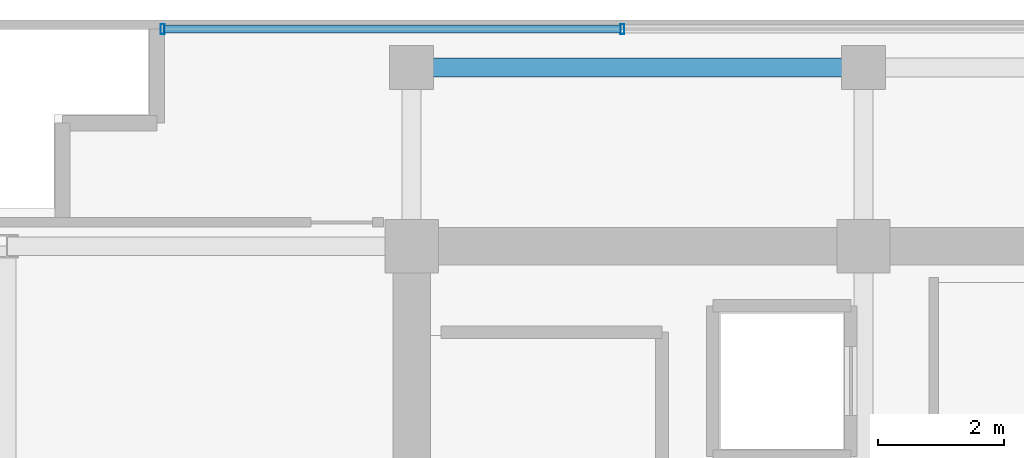
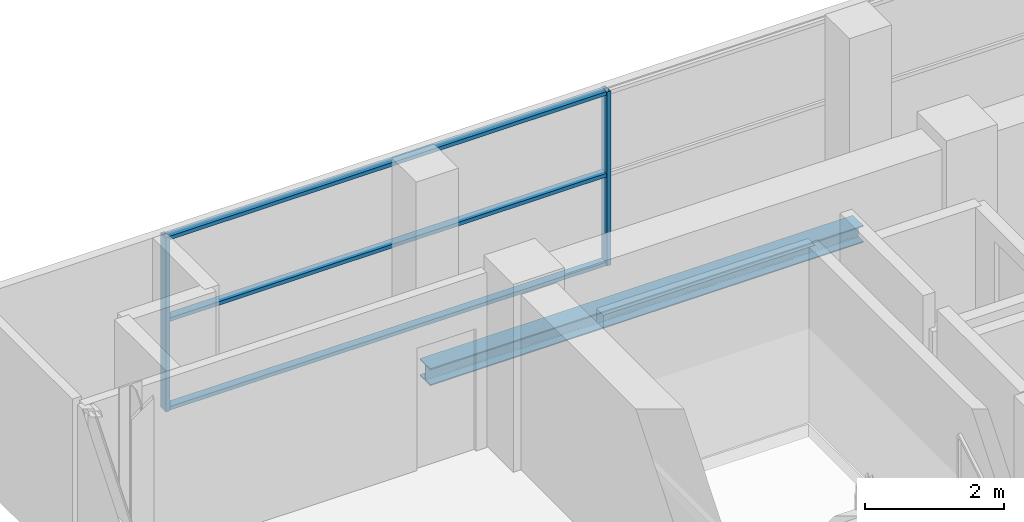
# One storey, part 16 of 28: 5 members, 1 beam, 1 element without a shape of its own.
"""IFC4 building model written with IfcOpenShell, lengths in metres."""

from ifc_helpers import new_model, si_unit, direction, frame, origin, origin_2d, place, context, subcontext, project, spatial, hollow_rectangle, i_section, extrude, source, transform, mapped, material, layer, layer_set, material_profile, profile_set, type_object, element, aggregate, save


model = new_model("IFC4")

# Units and contexts
model_context = context("Model", 3, precision=1e-05, world=origin(), true_north=direction((0.0, 1.0)))
body_context = subcontext(model_context, "Body", "Model", "MODEL_VIEW")
ifc_project = project(units=[si_unit("LENGTHUNIT", "METRE"), si_unit("AREAUNIT", "SQUARE_METRE"), si_unit("VOLUMEUNIT", "CUBIC_METRE"), si_unit("PLANEANGLEUNIT", "RADIAN"), si_unit("MASSUNIT", "GRAM", prefix="KILO")], contexts=[model_context])

# Site, building, storey
site_placement = place(None, origin())
site = spatial("IfcSite", under=ifc_project, at=site_placement, CompositionType="ELEMENT")
building_placement = place(site_placement, origin())
building = spatial("IfcBuilding", under=site, at=building_placement, Name="Zarnakvel Exchange Tower", CompositionType="ELEMENT")
storey_placement = place(building_placement, frame((0.0, 0.0, 268.300048828125)))
storey = spatial("IfcBuildingStorey", under=building, at=storey_placement, Name="L76", CompositionType="ELEMENT", Elevation=268.300048828125)

# Beam
ifc_material_1 = material(Name="Steel S355", Category="steel")
ifc_material_profile_1 = material_profile(ifc_material_1, i_section(OverallWidth=0.300048828125, OverallDepth=0.300048828125, WebThickness=0.010986328125, FlangeThickness=0.01904296875, FilletRadius=0.027099609375, at=origin_2d()))
ifc_profile_set_1 = profile_set([ifc_material_profile_1], Name="Steel S355")
beam_type = type_object("IfcBeamType", Name="SP-03", PredefinedType="SPANDREL", material=ifc_profile_set_1)
beam_placement = place(storey_placement, frame((-14.39990234375, 16.35009765625, -0.375), z_axis=(1.0, 0.0, 0.0), x_axis=(0.0, 1.0, 0.0)))
element("IfcBeam", 1, at=beam_placement, inside=storey, type_object=beam_type, Name="L76 Tower E-W Frame Beam", PredefinedType="SPANDREL", context=body_context, shape_type="SweptSolid", body=[
    extrude(i_section(OverallWidth=0.300048828125, OverallDepth=0.300048828125, WebThickness=0.010986328125, FlangeThickness=0.01904296875, FilletRadius=0.027099609375, at=origin_2d()), origin(), (0.0, 0.0, 1.0), 7.199951171875),
])

# Curtain wall, members
ifc_material_2 = material(Name="Architectural Bronze Anodised Aluminium", Category="aluminium")
ifc_layer = layer(ifc_material_2, 0.159912109375)
ifc_layer_set = layer_set([ifc_layer], Name="Architectural Bronze Anodised Aluminium")
curtain_wall_type = type_object("IfcCurtainWallType", Name="CW-06", PredefinedType="NOTDEFINED", material=ifc_layer_set)
curtain_wall_placement = place(storey_placement, origin())
curtain_wall = element("IfcCurtainWall", 2, at=curtain_wall_placement, inside=storey, type_object=curtain_wall_type, Name="L76 Curtain Wall CW-L76-N1 (CW-06)", PredefinedType="NOTDEFINED")
ifc_material_profile_2 = material_profile(ifc_material_2, hollow_rectangle(XDim=0.1298828125, YDim=0.06494140625, WallThickness=0.00390625, at=origin_2d()))
ifc_profile_set_2 = profile_set([ifc_material_profile_2], Name="Architectural Bronze Anodised Aluminium")
member_type_1 = type_object("IfcMemberType", Name="CWT-06", PredefinedType="USERDEFINED", material=ifc_profile_set_2)
shared_shape_1 = source(origin(), body_context, "Body", "SweptSolid", [
    extrude(hollow_rectangle(XDim=0.1298828125, YDim=0.06494140625, WallThickness=0.00390625, at=origin_2d()), origin(), (0.0, 0.0, 1.0), 7.262451171875),
])
member_1_placement = place(storey_placement, frame((-18.3349609375, 16.9599609375, 0.032470703125), z_axis=(1.0, 0.0, 0.0), x_axis=(0.0, 1.0, 0.0)))
member_1 = element("IfcMember", 3, at=member_1_placement, type_object=member_type_1, Name="CW-06 transom 1.1", ObjectType="TRANSOM", PredefinedType="USERDEFINED", context=body_context, shape_type="MappedRepresentation", body=[
    mapped(shared_shape_1, transform((0.0, 0.0, 0.0), x_axis=(1.0, 0.0, 0.0), y_axis=(0.0, 1.0, 0.0), z_axis=(0.0, 0.0, 1.0), scale=1.0)),
])
member_2_placement = place(storey_placement, frame((-18.3349609375, 16.9599609375, 1.591064453125), z_axis=(1.0, 0.0, 0.0), x_axis=(0.0, 1.0, 0.0)))
member_2 = element("IfcMember", 4, at=member_2_placement, type_object=member_type_1, Name="CW-06 transom 1.2", ObjectType="TRANSOM", PredefinedType="USERDEFINED", context=body_context, shape_type="MappedRepresentation", body=[
    mapped(shared_shape_1, transform((0.0, 0.0, 0.0), x_axis=(1.0, 0.0, 0.0), y_axis=(0.0, 1.0, 0.0), z_axis=(0.0, 0.0, 1.0), scale=1.0)),
])
member_3_placement = place(storey_placement, frame((-18.3349609375, 16.9599609375, 3.02734375), z_axis=(1.0, 0.0, 0.0), x_axis=(0.0, 1.0, 0.0)))
member_3 = element("IfcMember", 5, at=member_3_placement, type_object=member_type_1, Name="CW-06 transom 1.3", ObjectType="TRANSOM", PredefinedType="USERDEFINED", context=body_context, shape_type="MappedRepresentation", body=[
    mapped(shared_shape_1, transform((0.0, 0.0, 0.0), x_axis=(1.0, 0.0, 0.0), y_axis=(0.0, 1.0, 0.0), z_axis=(0.0, 0.0, 1.0), scale=1.0)),
])
ifc_material_profile_3 = material_profile(ifc_material_2, hollow_rectangle(XDim=0.159912109375, YDim=0.06494140625, WallThickness=0.00390625, at=origin_2d()))
ifc_profile_set_3 = profile_set([ifc_material_profile_3], Name="Architectural Bronze Anodised Aluminium")
member_type_2 = type_object("IfcMemberType", Name="CWM-06", PredefinedType="MULLION", material=ifc_profile_set_3)
shared_shape_2 = source(origin(), body_context, "Body", "SweptSolid", [
    extrude(hollow_rectangle(XDim=0.159912109375, YDim=0.06494140625, WallThickness=0.00390625, at=origin_2d()), origin(), (0.0, 0.0, 1.0), 3.06005859375),
])
member_4_placement = place(storey_placement, frame((-18.367431640625, 16.9599609375, 0.0), z_axis=(0.0, 0.0, 1.0), x_axis=(0.0, 1.0, 0.0)))
member_4 = element("IfcMember", 6, at=member_4_placement, type_object=member_type_2, Name="CW-06 mullion 1", PredefinedType="MULLION", context=body_context, shape_type="MappedRepresentation", body=[
    mapped(shared_shape_2, transform((0.0, 0.0, 0.0), x_axis=(1.0, 0.0, 0.0), y_axis=(0.0, 1.0, 0.0), z_axis=(0.0, 0.0, 1.0), scale=1.0)),
])
member_5_placement = place(storey_placement, frame((-11.0400390625, 16.9599609375, 0.0), z_axis=(0.0, 0.0, 1.0), x_axis=(0.0, 1.0, 0.0)))
member_5 = element("IfcMember", 7, at=member_5_placement, type_object=member_type_2, Name="CW-06 mullion 2", PredefinedType="MULLION", context=body_context, shape_type="MappedRepresentation", body=[
    mapped(shared_shape_2, transform((0.0, 0.0, 0.0), x_axis=(1.0, 0.0, 0.0), y_axis=(0.0, 1.0, 0.0), z_axis=(0.0, 0.0, 1.0), scale=1.0)),
])
aggregate(curtain_wall, [member_4, member_5, member_1, member_2, member_3])

save(model, "model.ifc")
